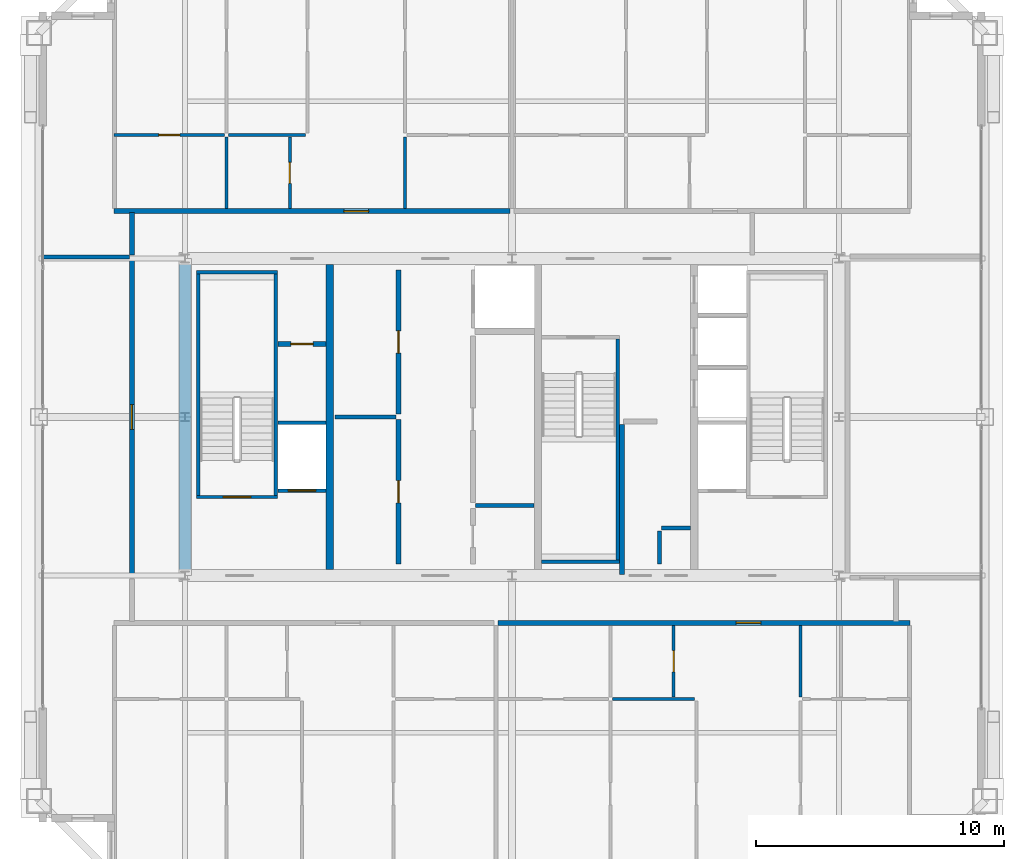
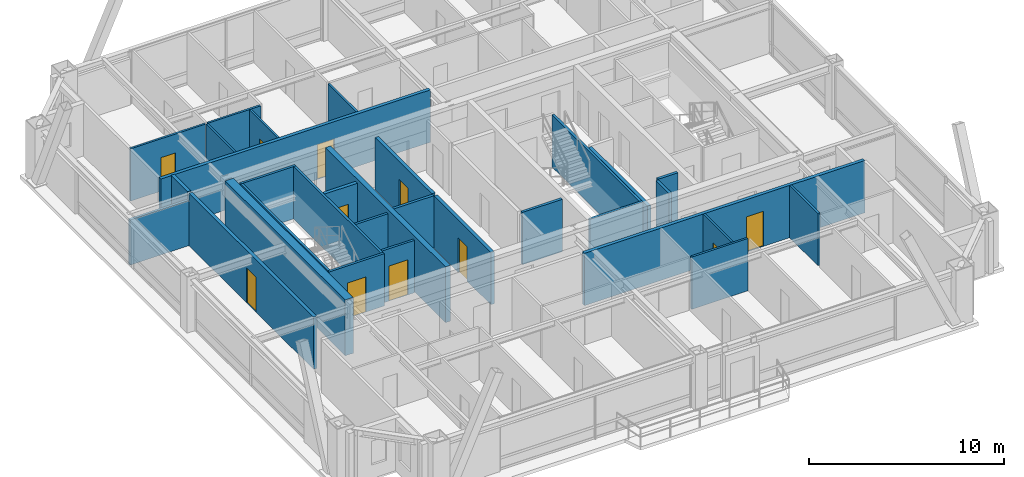
# One storey, part 31 of 35: 31 walls, 11 doors, 11 openings.
"""IFC4 building model written with IfcOpenShell, lengths in metres."""

import ifcopenshell
import ifcopenshell.guid

model = None  # the IFC model being written
_history = None  # IfcOwnerHistory: only IFC2X3 demands one
_inside = {}  # id of a spatial element -> (the spatial element, [elements in it])
_under = {}  # id of a project, library or spatial element -> (it, [spatial elements below it])
_declared = {}  # id of a project -> (the project, [libraries it declares])
_typed = {}  # id of a type object -> (the type object, [elements of that type])
_made_of = {}  # id of a material, layer set ... -> (it, [elements and type objects made of it])


def new_model(schema):
    """Start an empty IFC model of exactly this schema.

    Asked for "IFC4X3", IfcOpenShell would pick the latest addendum, in which some entities
    have other attributes; the version numbers below select the first issue.
    IFC2X3 requires an IfcOwnerHistory on every rooted entity: one is made here for all.
    """
    global model, _history
    if schema == "IFC4X3":
        model = ifcopenshell.file(schema_version=(4, 3, 0, 0))
    else:
        model = ifcopenshell.file(schema=schema)
    _inside.clear()
    _under.clear()
    _declared.clear()
    _typed.clear()
    _made_of.clear()
    _history = None
    if model.schema == "IFC2X3":
        org = make("IfcOrganization", Name="unknown")
        user = make(
            "IfcPersonAndOrganization",
            ThePerson=make("IfcPerson", FamilyName="unknown"),
            TheOrganization=org,
        )
        app = make(
            "IfcApplication",
            ApplicationDeveloper=org,
            Version="unknown",
            ApplicationFullName="unknown",
            ApplicationIdentifier="unknown",
        )
        _history = make(
            "IfcOwnerHistory",
            OwningUser=user,
            OwningApplication=app,
            ChangeAction="ADDED",
            CreationDate=0,
        )
    return model


def make(cls, **values):
    """One entity of the class cls with the attributes given. An attribute that is None is left unset."""
    return model.create_entity(
        cls, **{name: value for name, value in values.items() if value is not None}
    )


def rooted(cls, **values):
    """An entity with a GlobalId (a new one), such as an element, a storey or a relation."""
    return make(cls, GlobalId=ifcopenshell.guid.new(), OwnerHistory=_history, **values)


def si_unit(unit_type, name, prefix=None):
    """IfcSIUnit, for example si_unit("LENGTHUNIT", "METRE", prefix="MILLI")."""
    return make("IfcSIUnit", UnitType=unit_type, Prefix=prefix, Name=name)


def assignment(units):
    """IfcUnitAssignment: the units of a project."""
    return None if units is None else make("IfcUnitAssignment", Units=units)


def point(xyz):
    """IfcCartesianPoint."""
    return None if xyz is None else make("IfcCartesianPoint", Coordinates=xyz)


def direction(xyz):
    """IfcDirection."""
    return None if xyz is None else make("IfcDirection", DirectionRatios=xyz)


def frame(location, z_axis=None, x_axis=None):
    """IfcAxis2Placement3D, a coordinate frame: its origin and axes. An axis left out is left unset."""
    return make(
        "IfcAxis2Placement3D",
        Location=point(location),
        Axis=direction(z_axis),
        RefDirection=direction(x_axis),
    )


def frame_2d(location, x_axis=None):
    """IfcAxis2Placement2D, a coordinate frame in the plane: its origin and x axis."""
    return make(
        "IfcAxis2Placement2D", Location=point(location), RefDirection=direction(x_axis)
    )


def origin():
    """The frame at (0, 0, 0) with its axes left unset."""
    return frame((0.0, 0.0, 0.0))


def place(relative_to, where):
    """IfcLocalPlacement: puts the frame where relative to a parent placement (None: the world)."""
    return make(
        "IfcLocalPlacement", PlacementRelTo=relative_to, RelativePlacement=where
    )


def context(
    kind, dimensions, precision=None, world=None, true_north=None, identifier=None
):
    """IfcGeometricRepresentationContext, for example the 3D "Model" context."""
    return make(
        "IfcGeometricRepresentationContext",
        ContextIdentifier=identifier,
        ContextType=kind,
        CoordinateSpaceDimension=dimensions,
        Precision=precision,
        WorldCoordinateSystem=world,
        TrueNorth=true_north,
    )


def subcontext(parent, identifier, kind, view, scale=None):
    """IfcGeometricRepresentationSubContext, for example "Body" below "Model"."""
    return make(
        "IfcGeometricRepresentationSubContext",
        ContextIdentifier=identifier,
        ContextType=kind,
        ParentContext=parent,
        TargetScale=scale,
        TargetView=view,
    )


def project(units=None, contexts=None):
    """IfcProject with its units and contexts."""
    return rooted(
        "IfcProject",
        Name="project",
        RepresentationContexts=contexts,
        UnitsInContext=assignment(units),
    )


def spatial(cls, under=None, at=None, **own):
    """A site, building, storey or space (cls), placed at a placement, below another one or the project."""
    s = rooted(cls, ObjectPlacement=at, **own)
    if under is not None:
        _under.setdefault(under.id(), (under, []))[1].append(s)
    return s


def profile(cls, at=None, kind="AREA", **sizes):
    """A parametric profile (cls). Its sizes go by their IFC names, for example OverallWidth=200.0."""
    return make(cls, ProfileType=kind, Position=at, **sizes)


def rectangle(**sizes):
    """IfcRectangleProfileDef."""
    return profile("IfcRectangleProfileDef", **sizes)


def extrude(swept, where, along, depth):
    """IfcExtrudedAreaSolid: the profile swept, set in the frame where, extruded along a direction by depth."""
    return make(
        "IfcExtrudedAreaSolid",
        SweptArea=swept,
        Position=where,
        ExtrudedDirection=direction(along),
        Depth=depth,
    )


def shape(context_of_items, identifier, shape_type, items):
    """IfcShapeRepresentation: the items that make up one representation, for example the "Body"."""
    return make(
        "IfcShapeRepresentation",
        ContextOfItems=context_of_items,
        RepresentationIdentifier=identifier,
        RepresentationType=shape_type,
        Items=items,
    )


def source(mapping_origin, context_of_items, identifier, shape_type, items):
    """IfcRepresentationMap: a shape defined once, which mapped items show again and again."""
    return make(
        "IfcRepresentationMap",
        MappingOrigin=mapping_origin,
        MappedRepresentation=shape(context_of_items, identifier, shape_type, items),
    )


def transform(
    local_origin,
    x_axis=None,
    y_axis=None,
    z_axis=None,
    scale=None,
    scale2=None,
    scale3=None,
    uniform=True,
):
    """IfcCartesianTransformationOperator3D, or its non-uniform kind. x_axis, y_axis, z_axis: its Axis1, 2, 3."""
    if uniform:
        return make(
            "IfcCartesianTransformationOperator3D",
            Axis1=direction(x_axis),
            Axis2=direction(y_axis),
            LocalOrigin=point(local_origin),
            Scale=scale,
            Axis3=direction(z_axis),
        )
    return make(
        "IfcCartesianTransformationOperator3DnonUniform",
        Axis1=direction(x_axis),
        Axis2=direction(y_axis),
        LocalOrigin=point(local_origin),
        Scale=scale,
        Axis3=direction(z_axis),
        Scale2=scale2,
        Scale3=scale3,
    )


def mapped(mapping_source, mapping_target):
    """IfcMappedItem: shows the shape of a source again, moved by a transform."""
    return make(
        "IfcMappedItem", MappingSource=mapping_source, MappingTarget=mapping_target
    )


def material(Name=None, Category=None):
    """IfcMaterial."""
    return make("IfcMaterial", Name=Name, Category=Category)


def layer(
    of_material, thickness, ventilated=None, Name=None, Category=None, Priority=None
):
    """IfcMaterialLayer: one layer of a wall or slab, of a material (None: an air gap)."""
    return make(
        "IfcMaterialLayer",
        Material=of_material,
        LayerThickness=thickness,
        IsVentilated=ventilated,
        Name=Name,
        Category=Category,
        Priority=Priority,
    )


def layer_set(layers, Name=None):
    """IfcMaterialLayerSet."""
    return make("IfcMaterialLayerSet", MaterialLayers=layers, LayerSetName=Name)


def made_of(thing, what):
    """Note that an element or type object is made of a material, layer set ...; save() writes the relation."""
    if what is not None:
        _made_of.setdefault(what.id(), (what, []))[1].append(thing)
    return thing


def type_object(cls, material=None, **own):
    """A type object (cls), such as IfcWallType, which elements share."""
    return made_of(rooted(cls, **own), material)


def element(
    cls,
    number,
    at=None,
    inside=None,
    cuts=None,
    type_object=None,
    material=None,
    context=None,
    identifier="Body",
    shape_type=None,
    held_by="IfcProductDefinitionShape",
    body=None,
    shapes=None,
    **own,
):
    """One element of the class cls, such as IfcWall. Its Tag is "e" and its number.

    at: its placement. inside: the storey or other place that contains it. cuts: it is an
    opening in that element (IfcRelVoidsElement). A single representation is given by context,
    identifier, shape_type and body (its items); several are given by shapes. held_by: the class
    of the entity that holds the representations. save() writes the other relations.
    """
    e = rooted(cls, Tag="e%d" % number, ObjectPlacement=at, **own)
    if body is not None:
        shapes = [shape(context, identifier, shape_type, body)]
    if shapes is not None:
        e.Representation = make(held_by, Representations=shapes)
    if inside is not None:
        _inside.setdefault(inside.id(), (inside, []))[1].append(e)
    if cuts is not None:
        rooted(
            "IfcRelVoidsElement", RelatingBuildingElement=cuts, RelatedOpeningElement=e
        )
    if type_object is not None:
        _typed.setdefault(type_object.id(), (type_object, []))[1].append(e)
    return made_of(e, material)


def fill(opening, filler):
    """IfcRelFillsElement: the door or window that sits in an opening."""
    return rooted(
        "IfcRelFillsElement",
        RelatingOpeningElement=opening,
        RelatedBuildingElement=filler,
    )


def aggregate(whole, parts):
    """IfcRelAggregates: a whole, such as a stair, and the parts it consists of."""
    return rooted("IfcRelAggregates", RelatingObject=whole, RelatedObjects=parts)


def save(model, path):
    """Write the relations noted so far, then the file.

    IfcRelAggregates (storeys below a building ...), IfcRelContainedInSpatialStructure (elements
    in a storey), IfcRelDefinesByType, IfcRelAssociatesMaterial and IfcRelDeclares: one each for
    every whole, place, type object, material and project.
    """
    for whole, parts in _under.values():
        aggregate(whole, parts)
    for where, things in _inside.values():
        rooted(
            "IfcRelContainedInSpatialStructure",
            RelatedElements=things,
            RelatingStructure=where,
        )
    for kind, things in _typed.values():
        rooted("IfcRelDefinesByType", RelatedObjects=things, RelatingType=kind)
    for what, things in _made_of.values():
        rooted("IfcRelAssociatesMaterial", RelatedObjects=things, RelatingMaterial=what)
    for by, libraries in _declared.values():
        rooted("IfcRelDeclares", RelatingContext=by, RelatedDefinitions=libraries)
    model.write(path)


model = new_model("IFC4")

# Units and contexts
model_context = context("Model", 3, precision=1e-05, world=origin(), true_north=direction((0.0, 1.0)))
body_context = subcontext(model_context, "Body", "Model", "MODEL_VIEW")
ifc_project = project(units=[si_unit("LENGTHUNIT", "METRE"), si_unit("AREAUNIT", "SQUARE_METRE"), si_unit("VOLUMEUNIT", "CUBIC_METRE"), si_unit("PLANEANGLEUNIT", "RADIAN"), si_unit("MASSUNIT", "GRAM", prefix="KILO"), si_unit("THERMODYNAMICTEMPERATUREUNIT", "KELVIN"), si_unit("POWERUNIT", "WATT")], contexts=[model_context])

# Site, building, storey
site_placement = place(None, origin())
site = spatial("IfcSite", under=ifc_project, at=site_placement, CompositionType="ELEMENT")
building_placement = place(site_placement, origin())
building = spatial("IfcBuilding", under=site, at=building_placement, Name="Yuzanri Waterfront Tower", CompositionType="ELEMENT")
storey_placement = place(building_placement, frame((0.0, 0.0, 299.60009765625)))
storey = spatial("IfcBuildingStorey", under=building, at=storey_placement, Name="L80", CompositionType="ELEMENT", Elevation=299.60009765625)

# Wall, opening, door
ifc_material_1 = material(Name="Moisture-Resistant Gypsum Stud Wall", Category="gypsum")
ifc_layer_1 = layer(ifc_material_1, 0.1201171875)
ifc_layer_set_1 = layer_set([ifc_layer_1], Name="Moisture-Resistant Gypsum Stud Wall")
wall_type_1 = type_object("IfcWallType", Name="Bathroom and Kitchen Wet Partition 120", PredefinedType="PARTITIONING", material=ifc_layer_set_1)
wall_1_placement = place(storey_placement, frame((43.528076171875, 14.489990234375, 0.0), z_axis=(0.0, 0.0, 1.0), x_axis=(0.0, 1.0, 0.0)))
wall_1 = element("IfcWall", 1, at=wall_1_placement, inside=storey, type_object=wall_type_1, Name="L80 Partition UW-L80-HS2-SUB-2-E", PredefinedType="PARTITIONING", context=body_context, shape_type="SweptSolid", body=[
    extrude(rectangle(XDim=2.89990234375, YDim=0.1201171875, at=frame_2d((1.449951171875, 0.0))), origin(), (0.0, 0.0, 1.0), 3.27978515625),
])
opening_1_placement = place(wall_1_placement, frame((1.02490234375, 0.0, 0.0)))
opening_1 = element("IfcOpeningElement", 2, at=opening_1_placement, cuts=wall_1, Name="Opening ID-0850", PredefinedType="OPENING", context=body_context, shape_type="SweptSolid", body=[
    extrude(rectangle(XDim=0.85009765625, YDim=2.10009765625, at=frame_2d((0.425048828125, 1.050048828125))), frame((0.0, 0.074951171875, 0.0), z_axis=(0.0, -1.0, 0.0), x_axis=(1.0, 0.0, 0.0)), (0.0, 0.0, 1.0), 0.14990234375),
])
ifc_material_2 = material(Name="Moisture-Resistant Lacquered Timber", Category="wood")
door_type_1 = type_object("IfcDoorType", Name="En-Suite Bathroom and Kitchen Swing Door 850x2100", OperationType="NOTDEFINED", PredefinedType="DOOR", material=ifc_material_2)
shared_shape_1 = source(origin(), body_context, "Body", "SweptSolid", [
    extrude(rectangle(XDim=0.85009765625, YDim=2.10009765625, at=frame_2d((0.425048828125, 1.050048828125))), frame((0.0, 0.02490234375, 0.0), z_axis=(0.0, -1.0, 0.0), x_axis=(1.0, 0.0, 0.0)), (0.0, 0.0, 1.0), 0.050048828125),
])
door_1_placement = place(opening_1_placement, origin())
door_1 = element("IfcDoor", 3, at=door_1_placement, inside=storey, type_object=door_type_1, Name="L80 Suite Interior Room Door", OperationType="SINGLE_SWING_RIGHT", OverallHeight=2.10009765625, OverallWidth=0.85009765625, PredefinedType="DOOR", context=body_context, shape_type="MappedRepresentation", body=[
    mapped(shared_shape_1, transform((0.0, 0.0, 0.0), scale=1.0)),
])
fill(opening_1, door_1)

wall_2_placement = place(storey_placement, frame((20.93994140625, 37.18994140625, 0.0), z_axis=(0.0, 0.0, 1.0), x_axis=(1.0, 0.0, 0.0)))
wall_2 = element("IfcWall", 4, at=wall_2_placement, inside=storey, type_object=wall_type_1, Name="L80 Partition UW-L80-HN1-SUB-1-N", PredefinedType="PARTITIONING", context=body_context, shape_type="SweptSolid", body=[
    extrude(rectangle(XDim=4.449951171875, YDim=0.1201171875, at=frame_2d((2.22509765625, 0.0))), origin(), (0.0, 0.0, 1.0), 3.27978515625),
])
opening_2_placement = place(wall_2_placement, frame((1.800048828125, 0.0, 0.0)))
opening_2 = element("IfcOpeningElement", 5, at=opening_2_placement, cuts=wall_2, Name="Opening ID-0850", PredefinedType="OPENING", context=body_context, shape_type="SweptSolid", body=[
    extrude(rectangle(XDim=0.85009765625, YDim=2.10009765625, at=frame_2d((0.425048828125, 1.050048828125))), frame((0.0, 0.074951171875, 0.0), z_axis=(0.0, -1.0, 0.0), x_axis=(1.0, 0.0, 0.0)), (0.0, 0.0, 1.0), 0.14990234375),
])
door_2_placement = place(opening_2_placement, origin())
door_2 = element("IfcDoor", 6, at=door_2_placement, inside=storey, type_object=door_type_1, Name="L80 Suite Interior Room Door", OperationType="SINGLE_SWING_LEFT", OverallHeight=2.10009765625, OverallWidth=0.85009765625, PredefinedType="DOOR", context=body_context, shape_type="MappedRepresentation", body=[
    mapped(shared_shape_1, transform((0.0, 0.0, 0.0), scale=1.0)),
])
fill(opening_2, door_2)

wall_3_placement = place(storey_placement, frame((28.030029296875, 34.2099609375, 0.0), z_axis=(0.0, 0.0, 1.0), x_axis=(0.0, 1.0, 0.0)))
wall_3 = element("IfcWall", 7, at=wall_3_placement, inside=storey, type_object=wall_type_1, Name="L80 Partition UW-L80-HN1-SUB-2-E", PredefinedType="PARTITIONING", context=body_context, shape_type="SweptSolid", body=[
    extrude(rectangle(XDim=2.900146484375, YDim=0.1201171875, at=frame_2d((1.4501953125, 0.0))), origin(), (0.0, 0.0, 1.0), 3.27978515625),
])
opening_3_placement = place(wall_3_placement, frame((1.02490234375, 0.0, 0.0)))
opening_3 = element("IfcOpeningElement", 8, at=opening_3_placement, cuts=wall_3, Name="Opening ID-0850", PredefinedType="OPENING", context=body_context, shape_type="SweptSolid", body=[
    extrude(rectangle(XDim=0.85009765625, YDim=2.10009765625, at=frame_2d((0.425048828125, 1.050048828125))), frame((0.0, 0.074951171875, 0.0), z_axis=(0.0, -1.0, 0.0), x_axis=(1.0, 0.0, 0.0)), (0.0, 0.0, 1.0), 0.14990234375),
])
door_3_placement = place(opening_3_placement, origin())
door_3 = element("IfcDoor", 9, at=door_3_placement, inside=storey, type_object=door_type_1, Name="L80 Suite Interior Room Door", OperationType="SINGLE_SWING_RIGHT", OverallHeight=2.10009765625, OverallWidth=0.85009765625, PredefinedType="DOOR", context=body_context, shape_type="MappedRepresentation", body=[
    mapped(shared_shape_1, transform((0.0, 0.0, 0.0), scale=1.0)),
])
fill(opening_3, door_3)

ifc_material_3 = material(Name="Concrete C40", Category="concrete")
ifc_layer_2 = layer(ifc_material_3, 0.139892578125)
ifc_layer_set_2 = layer_set([ifc_layer_2], Name="Concrete C40")
wall_type_2 = type_object("IfcWallType", Name="Core Stair Liner and Hoistway Shaft Wall 140", PredefinedType="SOLIDWALL", material=ifc_layer_set_2)
wall_4_placement = place(storey_placement, frame((27.56005859375, 22.830078125, 0.0), z_axis=(0.0, 0.0, 1.0), x_axis=(1.0, 0.0, 0.0)))
wall_4 = element("IfcWall", 10, at=wall_4_placement, inside=storey, type_object=wall_type_2, Name="L80 Lift FL-01 Front Shaft Wall", PredefinedType="SOLIDWALL", context=body_context, shape_type="SweptSolid", body=[
    extrude(rectangle(XDim=1.919921875, YDim=0.139892578125, at=frame_2d((0.9599609375, 0.0))), origin(), (0.0, 0.0, 1.0), 3.27978515625),
])
opening_4_placement = place(wall_4_placement, frame((0.409912109375, 0.0, 0.0)))
opening_4 = element("IfcOpeningElement", 11, at=opening_4_placement, cuts=wall_4, Name="Opening LD-FL-01", PredefinedType="OPENING", context=body_context, shape_type="SweptSolid", body=[
    extrude(rectangle(XDim=1.10009765625, YDim=2.199951171875, at=frame_2d((0.550048828125, 1.10009765625))), frame((0.0, 0.0849609375, 0.0), z_axis=(0.0, -1.0, 0.0), x_axis=(1.0, 0.0, 0.0)), (0.0, 0.0, 1.0), 0.169677734375),
])
ifc_material_4 = material(Name="Brushed Bronze and Stainless Steel Cab", Category="steel")
door_type_2 = type_object("IfcDoorType", Name="Center-Parting Bronze Lift Landing Sliding Door 1100x2200", OperationType="NOTDEFINED", PredefinedType="DOOR", material=ifc_material_4)
shared_shape_2 = source(origin(), body_context, "Body", "SweptSolid", [
    extrude(rectangle(XDim=1.10009765625, YDim=2.199951171875, at=frame_2d((0.550048828125, 1.10009765625))), frame((0.0, 0.02490234375, 0.0), z_axis=(0.0, -1.0, 0.0), x_axis=(1.0, 0.0, 0.0)), (0.0, 0.0, 1.0), 0.050048828125),
])
door_4_placement = place(opening_4_placement, origin())
door_4 = element("IfcDoor", 12, at=door_4_placement, inside=storey, type_object=door_type_2, Name="L80 FL-01 Lift Landing Sliding Door", OperationType="SLIDING_TO_LEFT", OverallHeight=2.199951171875, OverallWidth=1.10009765625, PredefinedType="DOOR", context=body_context, shape_type="MappedRepresentation", body=[
    mapped(shared_shape_2, transform((0.0, 0.0, 0.0), scale=1.0)),
])
fill(opening_4, door_4)

wall_5_placement = place(storey_placement, frame((24.260009765625, 22.570068359375, 0.0), z_axis=(0.0, 0.0, 1.0), x_axis=(1.0, 0.0, 0.0)))
wall_5 = element("IfcWall", 13, at=wall_5_placement, inside=storey, type_object=wall_type_2, Name="L80 Shaft Wall STW-L80-ST-01-S", PredefinedType="SOLIDWALL", context=body_context, shape_type="SweptSolid", body=[
    extrude(rectangle(XDim=3.280029296875, YDim=0.139892578125, at=frame_2d((1.64013671875, 0.0))), origin(), (0.0, 0.0, 1.0), 3.27978515625),
])
opening_5_placement = place(wall_5_placement, frame((1.090087890625, 0.0, 0.0)))
opening_5 = element("IfcOpeningElement", 14, at=opening_5_placement, cuts=wall_5, Name="Opening FD-1100", PredefinedType="OPENING", context=body_context, shape_type="SweptSolid", body=[
    extrude(rectangle(XDim=1.10009765625, YDim=2.199951171875, at=frame_2d((0.550048828125, 1.10009765625))), frame((0.0, 0.0849609375, 0.0), z_axis=(0.0, -1.0, 0.0), x_axis=(1.0, 0.0, 0.0)), (0.0, 0.0, 1.0), 0.169677734375),
])
ifc_material_5 = material(Name="Painted Galvanized Fire Steel", Category="steel")
door_type_3 = type_object("IfcDoorType", Name="Smoke-Proof Stair and Lobby Fire Door 1100x2200", OperationType="NOTDEFINED", PredefinedType="DOOR", material=ifc_material_5)
shared_shape_3 = source(origin(), body_context, "Body", "SweptSolid", [
    extrude(rectangle(XDim=1.10009765625, YDim=2.199951171875, at=frame_2d((0.550048828125, 1.10009765625))), frame((0.0, 0.02490234375, 0.0), z_axis=(0.0, -1.0, 0.0), x_axis=(1.0, 0.0, 0.0)), (0.0, 0.0, 1.0), 0.050048828125),
])
door_5_placement = place(opening_5_placement, origin())
door_5 = element("IfcDoor", 15, at=door_5_placement, inside=storey, type_object=door_type_3, Name="L80 Stair ST-01 Fire Door", OperationType="SINGLE_SWING_RIGHT", OverallHeight=2.199951171875, OverallWidth=1.10009765625, PredefinedType="DOOR", context=body_context, shape_type="MappedRepresentation", body=[
    mapped(shared_shape_3, transform((0.0, 0.0, 0.0), scale=1.0)),
])
fill(opening_5, door_5)

ifc_material_6 = material(Name="Autoclaved Aerated Concrete Blockwork", Category="masonry")
ifc_layer_3 = layer(ifc_material_6, 0.199951171875)
ifc_layer_set_3 = layer_set([ifc_layer_3], Name="Autoclaved Aerated Concrete Blockwork")
wall_type_3 = type_object("IfcWallType", Name="Corridor and Unit Party Fire Wall 200", PredefinedType="PARTITIONING", material=ifc_layer_set_3)
wall_6_placement = place(storey_placement, frame((27.56005859375, 28.75, 0.0), z_axis=(0.0, 0.0, 1.0), x_axis=(1.0, 0.0, 0.0)))
wall_6 = element("IfcWall", 16, at=wall_6_placement, inside=storey, type_object=wall_type_3, Name="L80 Partition CRW-L80-ERTR", PredefinedType="PARTITIONING", context=body_context, shape_type="SweptSolid", body=[
    extrude(rectangle(XDim=1.919921875, YDim=0.199951171875, at=frame_2d((0.9599609375, 0.0))), origin(), (0.0, 0.0, 1.0), 3.27978515625),
])
opening_6_placement = place(wall_6_placement, frame((0.510009765625, 0.0, 0.0)))
opening_6 = element("IfcOpeningElement", 17, at=opening_6_placement, cuts=wall_6, Name="Opening FD-0900", PredefinedType="OPENING", context=body_context, shape_type="SweptSolid", body=[
    extrude(rectangle(XDim=0.89990234375, YDim=2.14990234375, at=frame_2d((0.449951171875, 1.074951171875))), frame((0.0, 0.11474609375, 0.0), z_axis=(0.0, -1.0, 0.0), x_axis=(1.0, 0.0, 0.0)), (0.0, 0.0, 1.0), 0.229736328125),
])
ifc_material_7 = material(Name="Painted Galvanized Fire Steel", Category="steel")
door_type_4 = type_object("IfcDoorType", Name="Riser and Service Room Fire Door 900x2150", OperationType="NOTDEFINED", PredefinedType="DOOR", material=ifc_material_7)
shared_shape_4 = source(origin(), body_context, "Body", "SweptSolid", [
    extrude(rectangle(XDim=0.89990234375, YDim=2.14990234375, at=frame_2d((0.449951171875, 1.074951171875))), frame((0.0, 0.02490234375, 0.0), z_axis=(0.0, -1.0, 0.0), x_axis=(1.0, 0.0, 0.0)), (0.0, 0.0, 1.0), 0.050048828125),
])
door_6_placement = place(opening_6_placement, origin())
door_6 = element("IfcDoor", 18, at=door_6_placement, inside=storey, type_object=door_type_4, Name="L80 Electrical Riser Door", OperationType="SINGLE_SWING_RIGHT", OverallHeight=2.14990234375, OverallWidth=0.89990234375, PredefinedType="DOOR", context=body_context, shape_type="MappedRepresentation", body=[
    mapped(shared_shape_4, transform((0.0, 0.0, 0.0), scale=1.0)),
])
fill(opening_6, door_6)

wall_7_placement = place(storey_placement, frame((32.419921875, 19.860107421875, 0.0), z_axis=(0.0, 0.0, 1.0), x_axis=(0.0, 1.0, 0.0)))
wall_7 = element("IfcWall", 19, at=wall_7_placement, inside=storey, type_object=wall_type_3, Name="L80 Partition CRW-L80-B1R-1", PredefinedType="PARTITIONING", context=body_context, shape_type="SweptSolid", body=[
    extrude(rectangle(XDim=5.83984375, YDim=0.199951171875, at=frame_2d((2.919921875, 0.0))), origin(), (0.0, 0.0, 1.0), 3.27978515625),
])
opening_7_placement = place(wall_7_placement, frame((2.469970703125, 0.0, 0.0)))
opening_7 = element("IfcOpeningElement", 20, at=opening_7_placement, cuts=wall_7, Name="Opening FD-0900", PredefinedType="OPENING", context=body_context, shape_type="SweptSolid", body=[
    extrude(rectangle(XDim=0.89990234375, YDim=2.14990234375, at=frame_2d((0.449951171875, 1.074951171875))), frame((0.0, 0.11474609375, 0.0), z_axis=(0.0, -1.0, 0.0), x_axis=(1.0, 0.0, 0.0)), (0.0, 0.0, 1.0), 0.229736328125),
])
door_7_placement = place(opening_7_placement, origin())
door_7 = element("IfcDoor", 21, at=door_7_placement, inside=storey, type_object=door_type_4, Name="L80 South Private Store Room", OperationType="SINGLE_SWING_LEFT", OverallHeight=2.14990234375, OverallWidth=0.89990234375, PredefinedType="DOOR", context=body_context, shape_type="MappedRepresentation", body=[
    mapped(shared_shape_4, transform((0.0, 0.0, 0.0), scale=1.0)),
])
fill(opening_7, door_7)

wall_8_placement = place(storey_placement, frame((32.419921875, 25.919921875, 0.0), z_axis=(0.0, 0.0, 1.0), x_axis=(0.0, 1.0, 0.0)))
wall_8 = element("IfcWall", 22, at=wall_8_placement, inside=storey, type_object=wall_type_3, Name="L80 Partition CRW-L80-B1R-2", PredefinedType="PARTITIONING", context=body_context, shape_type="SweptSolid", body=[
    extrude(rectangle(XDim=5.820068359375, YDim=0.199951171875, at=frame_2d((2.91015625, 0.0))), origin(), (0.0, 0.0, 1.0), 3.27978515625),
])
opening_8_placement = place(wall_8_placement, frame((2.4599609375, 0.0, 0.0)))
opening_8 = element("IfcOpeningElement", 23, at=opening_8_placement, cuts=wall_8, Name="Opening FD-0900", PredefinedType="OPENING", context=body_context, shape_type="SweptSolid", body=[
    extrude(rectangle(XDim=0.89990234375, YDim=2.14990234375, at=frame_2d((0.449951171875, 1.074951171875))), frame((0.0, 0.11474609375, 0.0), z_axis=(0.0, -1.0, 0.0), x_axis=(1.0, 0.0, 0.0)), (0.0, 0.0, 1.0), 0.229736328125),
])
door_8_placement = place(opening_8_placement, origin())
door_8 = element("IfcDoor", 24, at=door_8_placement, inside=storey, type_object=door_type_4, Name="L80 North Private Store Room", OperationType="SINGLE_SWING_RIGHT", OverallHeight=2.14990234375, OverallWidth=0.89990234375, PredefinedType="DOOR", context=body_context, shape_type="MappedRepresentation", body=[
    mapped(shared_shape_4, transform((0.0, 0.0, 0.0), scale=1.0)),
])
fill(opening_8, door_8)

wall_9_placement = place(storey_placement, frame((36.43798828125, 17.489990234375, 0.0), z_axis=(0.0, 0.0, 1.0), x_axis=(1.0, 0.0, 0.0)))
wall_9 = element("IfcWall", 25, at=wall_9_placement, inside=storey, type_object=wall_type_3, Name="L80 Partition UW-L80-HS2-CN", PredefinedType="PARTITIONING", context=body_context, shape_type="SweptSolid", body=[
    extrude(rectangle(XDim=16.6220703125, YDim=0.199951171875, at=frame_2d((8.31103515625, 0.0))), origin(), (0.0, 0.0, 1.0), 3.27978515625),
])
opening_9_placement = place(wall_9_placement, frame((9.611083984375, 0.0, 0.0)))
opening_9 = element("IfcOpeningElement", 26, at=opening_9_placement, cuts=wall_9, Name="Opening FD-1000", PredefinedType="OPENING", context=body_context, shape_type="SweptSolid", body=[
    extrude(rectangle(XDim=1.0, YDim=2.199951171875, at=frame_2d((0.5, 1.10009765625))), frame((0.0, 0.11474609375, 0.0), z_axis=(0.0, -1.0, 0.0), x_axis=(1.0, 0.0, 0.0)), (0.0, 0.0, 1.0), 0.229736328125),
])
ifc_material_8 = material(Name="Engineered Oak Fire-Rated Timber", Category="wood")
door_type_5 = type_object("IfcDoorType", Name="Guestroom and Apartment Entrance Fire Door 1000x2200", OperationType="NOTDEFINED", PredefinedType="DOOR", material=ifc_material_8)
shared_shape_5 = source(origin(), body_context, "Body", "SweptSolid", [
    extrude(rectangle(XDim=1.0, YDim=2.199951171875, at=frame_2d((0.5, 1.10009765625))), frame((0.0, 0.02490234375, 0.0), z_axis=(0.0, -1.0, 0.0), x_axis=(1.0, 0.0, 0.0)), (0.0, 0.0, 1.0), 0.050048828125),
])
door_9_placement = place(opening_9_placement, origin())
door_9 = element("IfcDoor", 27, at=door_9_placement, inside=storey, type_object=door_type_5, Name="L80 Apartment Living and Dining Salon Entrance Door", OperationType="SINGLE_SWING_RIGHT", OverallHeight=2.199951171875, OverallWidth=1.0, PredefinedType="DOOR", context=body_context, shape_type="MappedRepresentation", body=[
    mapped(shared_shape_5, transform((0.0, 0.0, 0.0), scale=1.0)),
])
fill(opening_9, door_9)

wall_10_placement = place(storey_placement, frame((20.93994140625, 34.110107421875, 0.0), z_axis=(0.0, 0.0, 1.0), x_axis=(1.0, 0.0, 0.0)))
wall_10 = element("IfcWall", 28, at=wall_10_placement, inside=storey, type_object=wall_type_3, Name="L80 Partition UW-L80-HN1-CS", PredefinedType="PARTITIONING", context=body_context, shape_type="SweptSolid", body=[
    extrude(rectangle(XDim=15.97998046875, YDim=0.199951171875, at=frame_2d((7.989990234375, 0.0))), origin(), (0.0, 0.0, 1.0), 3.27978515625),
])
opening_10_placement = place(wall_10_placement, frame((9.26904296875, 0.0, 0.0)))
opening_10 = element("IfcOpeningElement", 29, at=opening_10_placement, cuts=wall_10, Name="Opening FD-1000", PredefinedType="OPENING", context=body_context, shape_type="SweptSolid", body=[
    extrude(rectangle(XDim=1.0, YDim=2.199951171875, at=frame_2d((0.5, 1.10009765625))), frame((0.0, 0.11474609375, 0.0), z_axis=(0.0, -1.0, 0.0), x_axis=(1.0, 0.0, 0.0)), (0.0, 0.0, 1.0), 0.229736328125),
])
door_10_placement = place(opening_10_placement, origin())
door_10 = element("IfcDoor", 30, at=door_10_placement, inside=storey, type_object=door_type_5, Name="L80 Apartment Living and Dining Salon Entrance Door", OperationType="SINGLE_SWING_RIGHT", OverallHeight=2.199951171875, OverallWidth=1.0, PredefinedType="DOOR", context=body_context, shape_type="MappedRepresentation", body=[
    mapped(shared_shape_5, transform((0.0, 0.0, 0.0), scale=1.0)),
])
fill(opening_10, door_10)

wall_11_placement = place(storey_placement, frame((21.64990234375, 19.409912109375, 0.0), z_axis=(0.0, 0.0, 1.0), x_axis=(0.0, 1.0, 0.0)))
wall_11 = element("IfcWall", 31, at=wall_11_placement, inside=storey, type_object=wall_type_3, Name="L80 Partition UW-L80-049-CW", PredefinedType="PARTITIONING", context=body_context, shape_type="SweptSolid", body=[
    extrude(rectangle(XDim=12.780029296875, YDim=0.199951171875, at=frame_2d((6.39013671875, 0.0))), origin(), (0.0, 0.0, 1.0), 3.27978515625),
])
opening_11_placement = place(wall_11_placement, frame((5.889892578125, 0.0, 0.0)))
opening_11 = element("IfcOpeningElement", 32, at=opening_11_placement, cuts=wall_11, Name="Opening FD-1000", PredefinedType="OPENING", context=body_context, shape_type="SweptSolid", body=[
    extrude(rectangle(XDim=1.0, YDim=2.199951171875, at=frame_2d((0.5, 1.10009765625))), frame((0.0, 0.11474609375, 0.0), z_axis=(0.0, -1.0, 0.0), x_axis=(1.0, 0.0, 0.0)), (0.0, 0.0, 1.0), 0.229736328125),
])
door_11_placement = place(opening_11_placement, origin())
door_11 = element("IfcDoor", 33, at=door_11_placement, inside=storey, type_object=door_type_5, Name="L80 High-Rise W Wellness Gym Studio Entrance Door", OperationType="SINGLE_SWING_RIGHT", OverallHeight=2.199951171875, OverallWidth=1.0, PredefinedType="DOOR", context=body_context, shape_type="MappedRepresentation", body=[
    mapped(shared_shape_5, transform((0.0, 0.0, 0.0), scale=1.0)),
])
fill(opening_11, door_11)

# Walls
ifc_material_9 = material(Name="Concrete C45", Category="concrete")
ifc_layer_4 = layer(ifc_material_9, 0.47998046875)
ifc_layer_set_4 = layer_set([ifc_layer_4], Name="Concrete C45")
wall_type_4 = type_object("IfcWallType", Name="Concrete C45 High-Rise Core Shear Wall 480", PredefinedType="SHEAR", material=ifc_layer_set_4)
shared_shape_6 = source(origin(), body_context, "Body", "SweptSolid", [
    extrude(rectangle(XDim=12.320068359375, YDim=0.47998046875, at=frame_2d((6.16015625, 0.0))), origin(), (0.0, 0.0, 1.0), 3.5),
])
wall_12_placement = place(storey_placement, frame((23.800048828125, 19.639892578125, 0.0), z_axis=(0.0, 0.0, 1.0), x_axis=(0.0, 1.0, 0.0)))
element("IfcWall", 34, at=wall_12_placement, inside=storey, type_object=wall_type_4, Name="L80 Core West Shear Wall", PredefinedType="SHEAR", context=body_context, shape_type="MappedRepresentation", body=[
    mapped(shared_shape_6, transform((0.0, 0.0, 0.0), scale=1.0)),
])
ifc_material_10 = material(Name="Concrete C50", Category="concrete")
ifc_layer_5 = layer(ifc_material_10, 0.300048828125)
ifc_layer_set_5 = layer_set([ifc_layer_5], Name="Concrete C50")
wall_type_5 = type_object("IfcWallType", Name="Concrete C50 Internal Core Shaft Structural Wall 300", PredefinedType="SOLIDWALL", material=ifc_layer_set_5)
shared_shape_7 = source(origin(), body_context, "Body", "SweptSolid", [
    extrude(rectangle(XDim=12.320068359375, YDim=0.300048828125, at=frame_2d((6.16015625, 0.0))), origin(), (0.0, 0.0, 1.0), 3.5),
])
wall_13_placement = place(storey_placement, frame((29.64990234375, 19.639892578125, 0.0), z_axis=(0.0, 0.0, 1.0), x_axis=(0.0, 1.0, 0.0)))
element("IfcWall", 35, at=wall_13_placement, inside=storey, type_object=wall_type_5, Name="L80 Core Internal Structural Web Wall 1", PredefinedType="SOLIDWALL", context=body_context, shape_type="MappedRepresentation", body=[
    mapped(shared_shape_7, transform((0.0, 0.0, 0.0), scale=1.0)),
])
shared_shape_8 = source(origin(), body_context, "Body", "SweptSolid", [
    extrude(rectangle(XDim=1.919921875, YDim=0.139892578125, at=frame_2d((0.9599609375, 0.0))), origin(), (0.0, 0.0, 1.0), 3.27978515625),
])
wall_14_placement = place(storey_placement, frame((27.56005859375, 25.570068359375, 0.0), z_axis=(0.0, 0.0, 1.0), x_axis=(1.0, 0.0, 0.0)))
element("IfcWall", 36, at=wall_14_placement, inside=storey, type_object=wall_type_2, Name="L80 Lift FL-01 Back Shaft Wall", PredefinedType="SOLIDWALL", context=body_context, shape_type="MappedRepresentation", body=[
    mapped(shared_shape_8, transform((0.0, 0.0, 0.0), scale=1.0)),
])
shared_shape_9 = source(origin(), body_context, "Body", "SweptSolid", [
    extrude(rectangle(XDim=3.280029296875, YDim=0.139892578125, at=frame_2d((1.64013671875, 0.0))), origin(), (0.0, 0.0, 1.0), 3.27978515625),
])
wall_15_placement = place(storey_placement, frame((24.260009765625, 31.64990234375, 0.0), z_axis=(0.0, 0.0, 1.0), x_axis=(1.0, 0.0, 0.0)))
element("IfcWall", 37, at=wall_15_placement, inside=storey, type_object=wall_type_2, Name="L80 Stair ST-01 North Shaft Wall", PredefinedType="SOLIDWALL", context=body_context, shape_type="MappedRepresentation", body=[
    mapped(shared_shape_9, transform((0.0, 0.0, 0.0), scale=1.0)),
])
shared_shape_10 = source(origin(), body_context, "Body", "SweptSolid", [
    extrude(rectangle(XDim=8.940185546875, YDim=0.139892578125, at=frame_2d((4.47021484375, 0.0))), origin(), (0.0, 0.0, 1.0), 3.27978515625),
])
for number, where, z_axis, x_axis, name in (
    (38, (24.330078125, 22.639892578125, 0.0), (0.0, 0.0, 1.0), (0.0, 1.0, 0.0), "L80 Stair ST-01 West Shaft Wall"),
    (39, (27.469970703125, 22.639892578125, 0.0), (0.0, 0.0, 1.0), (0.0, 1.0, 0.0), "L80 Stair ST-01 East Shaft Wall"),
):
    element("IfcWall", number, at=place(storey_placement, frame(where, z_axis=z_axis, x_axis=x_axis)), inside=storey, type_object=wall_type_2, Name=name, PredefinedType="SOLIDWALL", context=body_context, shape_type="MappedRepresentation", body=[
        mapped(shared_shape_10, transform((0.0, 0.0, 0.0), scale=1.0)),
    ])
shared_shape_11 = source(origin(), body_context, "Body", "SweptSolid", [
    extrude(rectangle(XDim=3.14013671875, YDim=0.139892578125, at=frame_2d((1.570068359375, 0.0))), origin(), (0.0, 0.0, 1.0), 3.27978515625),
])
wall_16_placement = place(storey_placement, frame((38.199951171875, 19.949951171875, 0.0), z_axis=(0.0, 0.0, 1.0), x_axis=(1.0, 0.0, 0.0)))
element("IfcWall", 40, at=wall_16_placement, inside=storey, type_object=wall_type_2, Name="L80 Stair ST-03 South Shaft Wall", PredefinedType="SOLIDWALL", context=body_context, shape_type="MappedRepresentation", body=[
    mapped(shared_shape_11, transform((0.0, 0.0, 0.0), scale=1.0)),
])
shared_shape_12 = source(origin(), body_context, "Body", "SweptSolid", [
    extrude(rectangle(XDim=8.93994140625, YDim=0.139892578125, at=frame_2d((4.469970703125, 0.0))), origin(), (0.0, 0.0, 1.0), 3.27978515625),
])
wall_17_placement = place(storey_placement, frame((41.27001953125, 20.02001953125, 0.0), z_axis=(0.0, 0.0, 1.0), x_axis=(0.0, 1.0, 0.0)))
element("IfcWall", 41, at=wall_17_placement, inside=storey, type_object=wall_type_2, Name="L80 Stair ST-03 East Shaft Wall", PredefinedType="SOLIDWALL", context=body_context, shape_type="MappedRepresentation", body=[
    mapped(shared_shape_12, transform((0.0, 0.0, 0.0), scale=1.0)),
])
ifc_material_11 = material(Name="Gypsum Fireboard Acoustic Stud Wall", Category="gypsum")
ifc_layer_6 = layer(ifc_material_11, 0.159912109375)
ifc_layer_set_6 = layer_set([ifc_layer_6], Name="Gypsum Fireboard Acoustic Stud Wall")
wall_type_6 = type_object("IfcWallType", Name="Acoustic Suite Demising Partition 160", PredefinedType="PARTITIONING", material=ifc_layer_set_6)
shared_shape_13 = source(origin(), body_context, "Body", "SweptSolid", [
    extrude(rectangle(XDim=2.469970703125, YDim=0.159912109375, at=frame_2d((1.23486328125, 0.0))), origin(), (0.0, 0.0, 1.0), 3.27978515625),
])
wall_18_placement = place(storey_placement, frame((29.85009765625, 25.800048828125, 0.0), z_axis=(0.0, 0.0, 1.0), x_axis=(1.0, 0.0, 0.0)))
element("IfcWall", 42, at=wall_18_placement, inside=storey, type_object=wall_type_6, Name="L80 Reclaimed Core Divider 2", PredefinedType="PARTITIONING", context=body_context, shape_type="MappedRepresentation", body=[
    mapped(shared_shape_13, transform((0.0, 0.0, 0.0), scale=1.0)),
])
shared_shape_14 = source(origin(), body_context, "Body", "SweptSolid", [
    extrude(rectangle(XDim=1.33984375, YDim=0.159912109375, at=frame_2d((0.669921875, 0.0))), origin(), (0.0, 0.0, 1.0), 3.27978515625),
])
wall_19_placement = place(storey_placement, frame((42.949951171875, 19.860107421875, 0.0), z_axis=(0.0, 0.0, 1.0), x_axis=(0.0, 1.0, 0.0)))
element("IfcWall", 43, at=wall_19_placement, inside=storey, type_object=wall_type_6, Name="L80 East Wet Riser West Wall", PredefinedType="PARTITIONING", context=body_context, shape_type="MappedRepresentation", body=[
    mapped(shared_shape_14, transform((0.0, 0.0, 0.0), scale=1.0)),
])
shared_shape_15 = source(origin(), body_context, "Body", "SweptSolid", [
    extrude(rectangle(XDim=1.169921875, YDim=0.159912109375, at=frame_2d((0.5849609375, 0.0))), origin(), (0.0, 0.0, 1.0), 3.27978515625),
])
wall_20_placement = place(storey_placement, frame((43.030029296875, 21.320068359375, 0.0), z_axis=(0.0, 0.0, 1.0), x_axis=(1.0, 0.0, 0.0)))
element("IfcWall", 44, at=wall_20_placement, inside=storey, type_object=wall_type_6, Name="L80 East Wet Riser North Wall", PredefinedType="PARTITIONING", context=body_context, shape_type="MappedRepresentation", body=[
    mapped(shared_shape_15, transform((0.0, 0.0, 0.0), scale=1.0)),
])
shared_shape_16 = source(origin(), body_context, "Body", "SweptSolid", [
    extrude(rectangle(XDim=2.35986328125, YDim=0.159912109375, at=frame_2d((1.179931640625, 0.0))), origin(), (0.0, 0.0, 1.0), 3.27978515625),
])
wall_21_placement = place(storey_placement, frame((35.52001953125, 22.22998046875, 0.0), z_axis=(0.0, 0.0, 1.0), x_axis=(1.0, 0.0, 0.0)))
element("IfcWall", 45, at=wall_21_placement, inside=storey, type_object=wall_type_6, Name="L80 Reclaimed High-Zone Divider 2", PredefinedType="PARTITIONING", context=body_context, shape_type="MappedRepresentation", body=[
    mapped(shared_shape_16, transform((0.0, 0.0, 0.0), scale=1.0)),
])
shared_shape_17 = source(origin(), body_context, "Body", "SweptSolid", [
    extrude(rectangle(XDim=6.06005859375, YDim=0.199951171875, at=frame_2d((3.030029296875, 0.0))), origin(), (0.0, 0.0, 1.0), 3.27978515625),
])
wall_22_placement = place(storey_placement, frame((41.449951171875, 19.43994140625, 0.0), z_axis=(0.0, 0.0, 1.0), x_axis=(0.0, 1.0, 0.0)))
element("IfcWall", 46, at=wall_22_placement, inside=storey, type_object=wall_type_3, Name="L80 Core BOH West Wall 1", PredefinedType="PARTITIONING", context=body_context, shape_type="MappedRepresentation", body=[
    mapped(shared_shape_17, transform((0.0, 0.0, 0.0), scale=1.0)),
])
shared_shape_18 = source(origin(), body_context, "Body", "SweptSolid", [
    extrude(rectangle(XDim=1.699951171875, YDim=0.199951171875, at=frame_2d((0.85009765625, 0.0))), origin(), (0.0, 0.0, 1.0), 3.27978515625),
])
wall_23_placement = place(storey_placement, frame((21.64990234375, 32.35009765625, 0.0), z_axis=(0.0, 0.0, 1.0), x_axis=(0.0, 1.0, 0.0)))
element("IfcWall", 47, at=wall_23_placement, inside=storey, type_object=wall_type_3, Name="L80 North Foyer West End Wall", PredefinedType="PARTITIONING", context=body_context, shape_type="MappedRepresentation", body=[
    mapped(shared_shape_18, transform((0.0, 0.0, 0.0), scale=1.0)),
])
shared_shape_19 = source(origin(), body_context, "Body", "SweptSolid", [
    extrude(rectangle(XDim=2.89990234375, YDim=0.1201171875, at=frame_2d((1.449951171875, 0.0))), origin(), (0.0, 0.0, 1.0), 3.27978515625),
])
wall_24_placement = place(storey_placement, frame((48.657958984375, 14.489990234375, 0.0), z_axis=(0.0, 0.0, 1.0), x_axis=(0.0, 1.0, 0.0)))
element("IfcWall", 48, at=wall_24_placement, inside=storey, type_object=wall_type_1, Name="L80 Partition UW-L80-HS2-SUB-4-W", PredefinedType="PARTITIONING", context=body_context, shape_type="MappedRepresentation", body=[
    mapped(shared_shape_19, transform((0.0, 0.0, 0.0), scale=1.0)),
])
shared_shape_20 = source(origin(), body_context, "Body", "SweptSolid", [
    extrude(rectangle(XDim=2.900146484375, YDim=0.1201171875, at=frame_2d((1.4501953125, 0.0))), origin(), (0.0, 0.0, 1.0), 3.27978515625),
])
for number, where, z_axis, x_axis, name in (
    (49, (25.469970703125, 34.2099609375, 0.0), (0.0, 0.0, 1.0), (0.0, 1.0, 0.0), "L80 Partition UW-L80-HN1-SUB-1-E"),
    (50, (32.68505859375, 34.2099609375, 0.0), (0.0, 0.0, 1.0), (0.0, 1.0, 0.0), "L80 Partition UW-L80-HN1-SUB-3-W"),
):
    element("IfcWall", number, at=place(storey_placement, frame(where, z_axis=z_axis, x_axis=x_axis)), inside=storey, type_object=wall_type_1, Name=name, PredefinedType="PARTITIONING", context=body_context, shape_type="MappedRepresentation", body=[
        mapped(shared_shape_20, transform((0.0, 0.0, 0.0), scale=1.0)),
    ])
shared_shape_21 = source(origin(), body_context, "Body", "SweptSolid", [
    extrude(rectangle(XDim=3.31298828125, YDim=0.1201171875, at=frame_2d((1.656494140625, 0.0))), origin(), (0.0, 0.0, 1.0), 3.27978515625),
])
wall_25_placement = place(storey_placement, frame((41.048095703125, 14.409912109375, 0.0), z_axis=(0.0, 0.0, 1.0), x_axis=(1.0, 0.0, 0.0)))
element("IfcWall", 51, at=wall_25_placement, inside=storey, type_object=wall_type_1, Name="L80 Partition UW-L80-HS2-SUB-7-N", PredefinedType="PARTITIONING", context=body_context, shape_type="MappedRepresentation", body=[
    mapped(shared_shape_21, transform((0.0, 0.0, 0.0), scale=1.0)),
])
shared_shape_22 = source(origin(), body_context, "Body", "SweptSolid", [
    extrude(rectangle(XDim=3.5, YDim=0.159912109375, at=frame_2d((1.75, 0.0))), origin(), (0.0, 0.0, 1.0), 2.824951171875),
])
wall_26_placement = place(storey_placement, frame((18.050048828125, 32.27001953125, 0.0), z_axis=(0.0, 0.0, 1.0), x_axis=(1.0, 0.0, 0.0)))
element("IfcWall", 52, at=wall_26_placement, inside=storey, type_object=wall_type_6, Name="L80-049 Wing North End Wall", PredefinedType="PARTITIONING", context=body_context, shape_type="MappedRepresentation", body=[
    mapped(shared_shape_22, transform((0.0, 0.0, 0.0), scale=1.0)),
])
shared_shape_23 = source(origin(), body_context, "Body", "SweptSolid", [
    extrude(rectangle(XDim=3.10400390625, YDim=0.1201171875, at=frame_2d((1.552001953125, 0.0))), origin(), (0.0, 0.0, 1.0), 3.27978515625),
])
wall_27_placement = place(storey_placement, frame((25.550048828125, 37.18994140625, 0.0), z_axis=(0.0, 0.0, 1.0), x_axis=(1.0, 0.0, 0.0)))
element("IfcWall", 53, at=wall_27_placement, inside=storey, type_object=wall_type_1, Name="L80 Partition UW-L80-HN1-SUB-6-S", PredefinedType="PARTITIONING", context=body_context, shape_type="MappedRepresentation", body=[
    mapped(shared_shape_23, transform((0.0, 0.0, 0.0), scale=1.0)),
])

save(model, "model.ifc")
